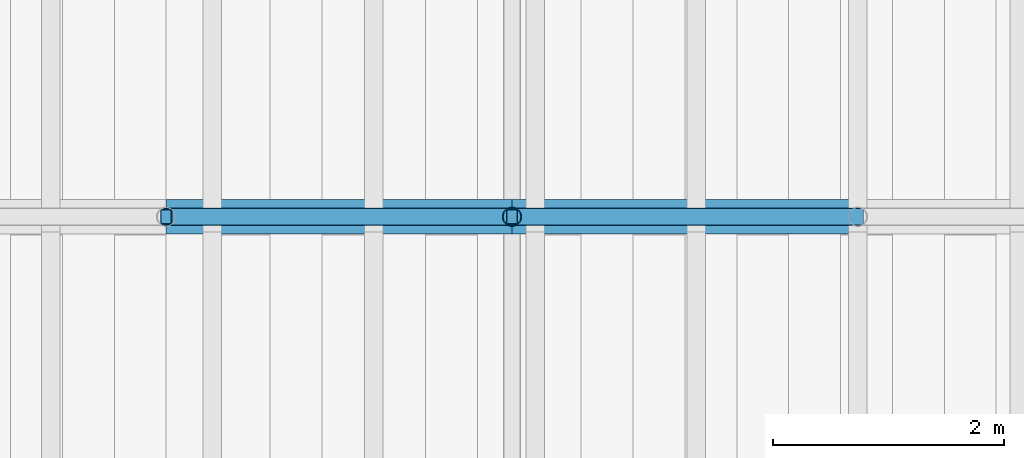
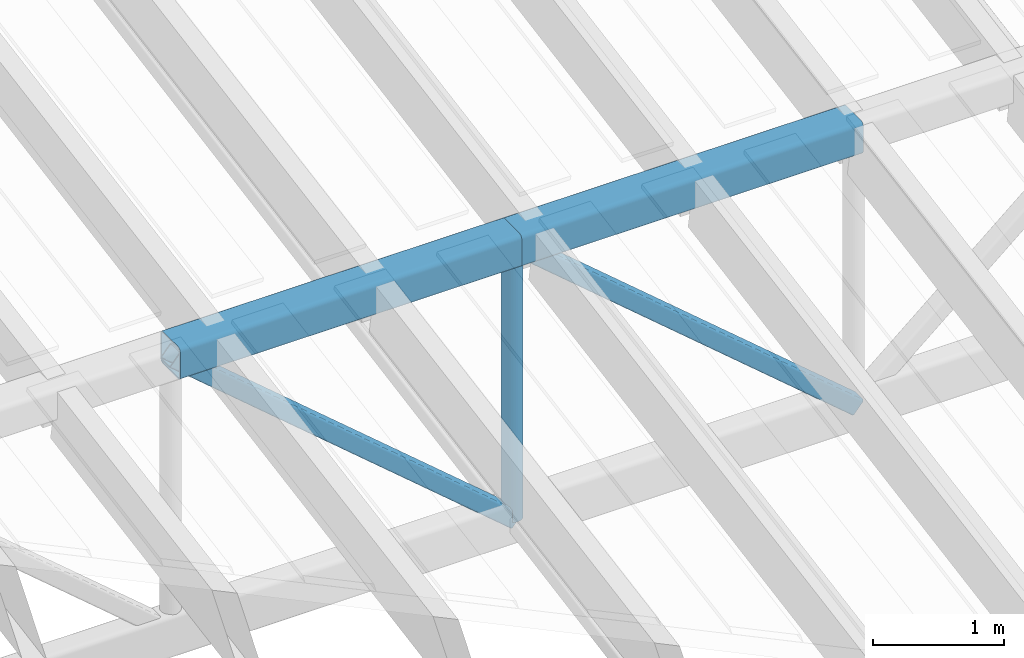
# One storey, part 25 of 91: 5 members.
"""IFC4 building model written with IfcOpenShell, lengths in metres."""

from ifc_helpers import new_model, si_unit, direction, frame, origin, origin_2d, place, context, subcontext, project, spatial, hollow_rectangle, hollow_circle, extrude, material, material_profile, profile_set, type_object, element, save


model = new_model("IFC4")

# Units and contexts
model_context = context("Model", 3, precision=1e-05, world=origin(), true_north=direction((0.0, 1.0)))
body_context = subcontext(model_context, "Body", "Model", "MODEL_VIEW")
ifc_project = project(units=[si_unit("LENGTHUNIT", "METRE"), si_unit("AREAUNIT", "SQUARE_METRE"), si_unit("VOLUMEUNIT", "CUBIC_METRE"), si_unit("PLANEANGLEUNIT", "RADIAN"), si_unit("MASSUNIT", "GRAM", prefix="KILO")], contexts=[model_context])

# Site, building, storey
site_placement = place(None, origin())
site = spatial("IfcSite", under=ifc_project, at=site_placement, CompositionType="ELEMENT")
building_placement = place(site_placement, origin())
building = spatial("IfcBuilding", under=site, at=building_placement, Name="Almond Square Museum", CompositionType="ELEMENT")
storey_placement = place(building_placement, frame((0.0, 0.0, 30.0)))
storey = spatial("IfcBuildingStorey", under=building, at=storey_placement, Name="L05", CompositionType="ELEMENT", Elevation=30.0)

# Members
ifc_material_1 = material(Name="Structural steel S355", Category="steel")
ifc_material_profile_1 = material_profile(ifc_material_1, hollow_rectangle(XDim=0.300048828125, YDim=0.300048828125, WallThickness=0.012451171875, InnerFilletRadius=0.02490234375, OuterFilletRadius=0.03759765625, at=origin_2d()))
ifc_profile_set_1 = profile_set([ifc_material_profile_1], Name="Structural steel S355")
member_type_1 = type_object("IfcMemberType", Name="Truss chord SHS 300x300x12.5", PredefinedType="CHORD", material=ifc_profile_set_1)
for number, where, z_axis, x_axis, name in (
    (1, (121.800048828125, 84.0, 12.12841796875), (1.0, 0.0, 0.0), (0.0, 1.0, 0.0), "TR-05 top chord 6"),
    (2, (124.800048828125, 84.0, 12.12841796875), (1.0, 0.0, 0.0), (0.0, 1.0, 0.0), "TR-05 top chord 7"),
):
    element("IfcMember", number, at=place(storey_placement, frame(where, z_axis=z_axis, x_axis=x_axis)), inside=storey, type_object=member_type_1, Name=name, PredefinedType="CHORD", context=body_context, shape_type="SweptSolid", body=[
        extrude(hollow_rectangle(XDim=0.300048828125, YDim=0.300048828125, WallThickness=0.012451171875, InnerFilletRadius=0.02490234375, OuterFilletRadius=0.03759765625, at=origin_2d()), origin(), (0.0, 0.0, 1.0), 3.0),
    ])
ifc_material_2 = material(Name="Structural steel S355", Category="steel")
ifc_material_profile_2 = material_profile(ifc_material_2, hollow_rectangle(XDim=0.14990234375, YDim=0.14990234375, WallThickness=0.008056640625, InnerFilletRadius=0.011962890625, OuterFilletRadius=0.02001953125, at=origin_2d()))
ifc_profile_set_2 = profile_set([ifc_material_profile_2], Name="Structural steel S355")
member_type_2 = type_object("IfcMemberType", Name="Truss diagonal SHS 150x150x8", PredefinedType="BRACE", material=ifc_profile_set_2)
for number, where, z_axis, x_axis, name in (
    (3, (121.800048828125, 84.0, 12.12841796875), (0.762147404437, 0.0, -0.647403532513), (0.0, 1.0, 0.0), "TR-05 diagonal 6"),
    (4, (124.800048828125, 84.0, 12.12841796875), (0.762147404437, 0.0, -0.647403532513), (0.0, 1.0, 0.0), "TR-05 diagonal 7"),
):
    element("IfcMember", number, at=place(storey_placement, frame(where, z_axis=z_axis, x_axis=x_axis)), inside=storey, type_object=member_type_2, Name=name, PredefinedType="BRACE", context=body_context, shape_type="SweptSolid", body=[
        extrude(hollow_rectangle(XDim=0.14990234375, YDim=0.14990234375, WallThickness=0.008056640625, InnerFilletRadius=0.011962890625, OuterFilletRadius=0.02001953125, at=origin_2d()), origin(), (0.0, 0.0, 1.0), 3.936279296875),
    ])
ifc_material_3 = material(Name="Structural steel S355", Category="steel")
ifc_material_profile_3 = material_profile(ifc_material_3, hollow_circle(Radius=0.084228515625, WallThickness=0.008056640625, at=origin_2d()))
ifc_profile_set_3 = profile_set([ifc_material_profile_3], Name="Structural steel S355")
member_type_3 = type_object("IfcMemberType", Name="Truss post CHS 168.3x8", PredefinedType="POST", material=ifc_profile_set_3)
member_placement = place(storey_placement, frame((124.800048828125, 84.0, 9.580078125), z_axis=(0.0, 0.0, 1.0), x_axis=(1.0, 0.0, 0.0)))
element("IfcMember", 5, at=member_placement, inside=storey, type_object=member_type_3, Name="TR-05 post 7", PredefinedType="POST", context=body_context, shape_type="SweptSolid", body=[
    extrude(hollow_circle(Radius=0.084228515625, WallThickness=0.008056640625, at=origin_2d()), origin(), (0.0, 0.0, 1.0), 2.54833984375),
])

save(model, "model.ifc")
